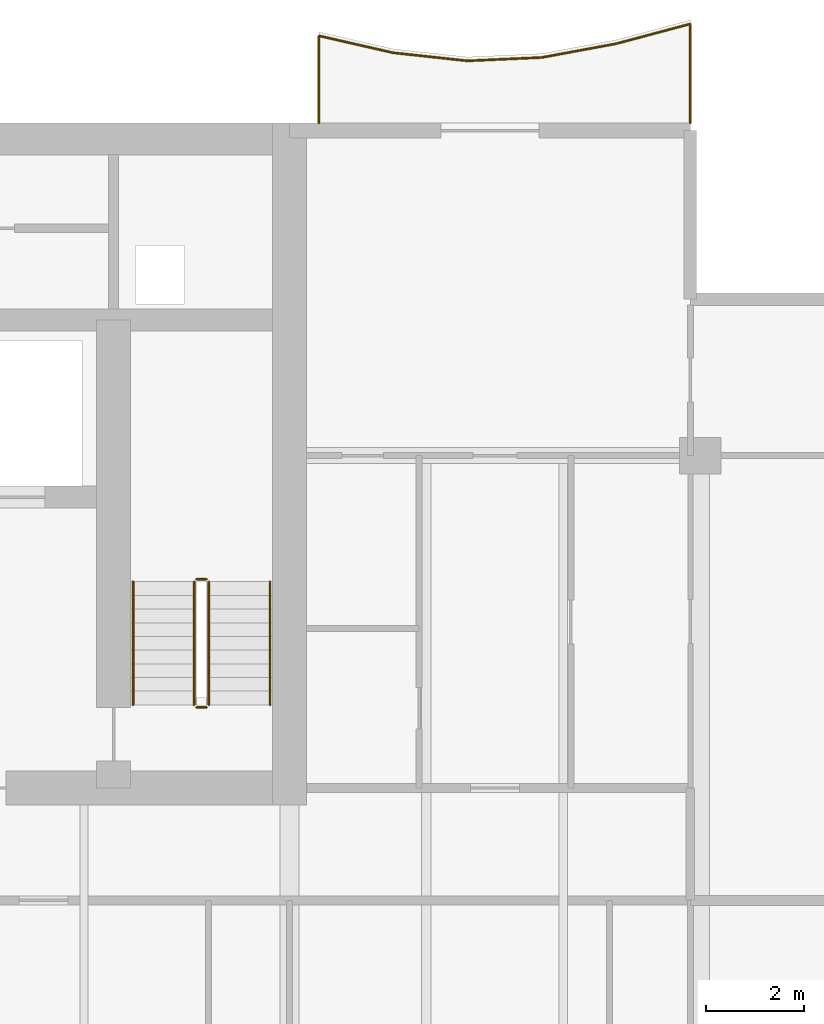
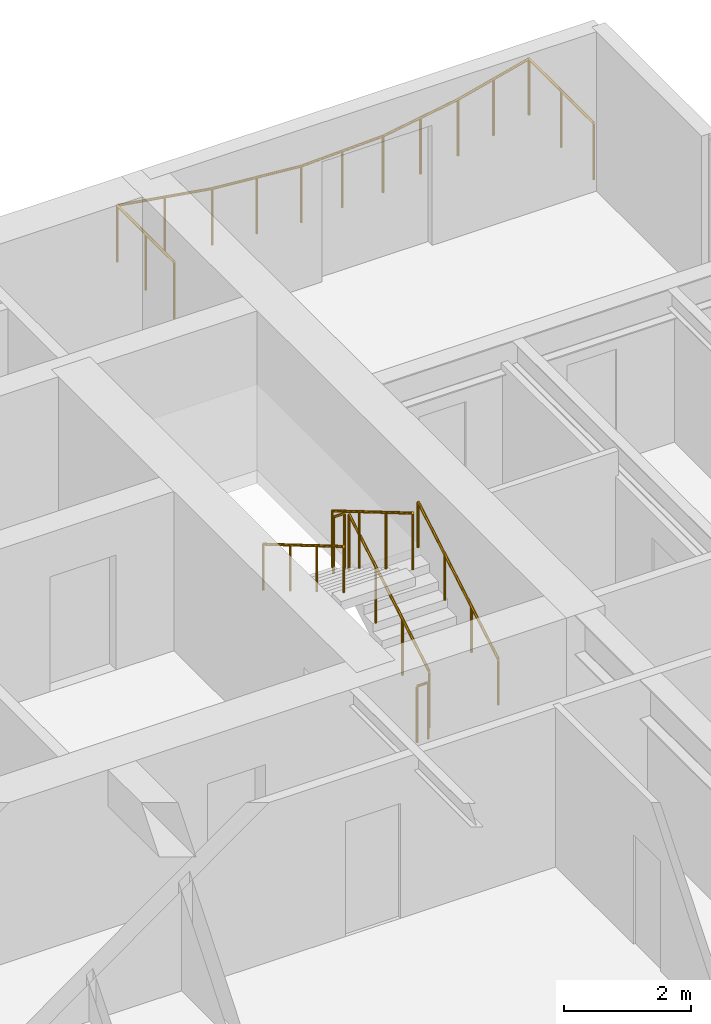
# One storey, part 16 of 17: 7 railings.
"""IFC4 building model written with IfcOpenShell, lengths in metres."""

from ifc_helpers import new_model, si_unit, direction, frame, origin, origin_2d, place, context, subcontext, project, spatial, circle, extrude, material, type_object, element, save


model = new_model("IFC4")

# Units and contexts
model_context = context("Model", 3, precision=1e-05, world=origin(), true_north=direction((0.0, 1.0)))
body_context = subcontext(model_context, "Body", "Model", "MODEL_VIEW")
ifc_project = project(units=[si_unit("LENGTHUNIT", "METRE"), si_unit("AREAUNIT", "SQUARE_METRE"), si_unit("VOLUMEUNIT", "CUBIC_METRE"), si_unit("PLANEANGLEUNIT", "RADIAN"), si_unit("MASSUNIT", "GRAM", prefix="KILO")], contexts=[model_context])

# Site, building, storey
site_placement = place(None, origin())
site = spatial("IfcSite", under=ifc_project, at=site_placement, CompositionType="ELEMENT")
building_placement = place(site_placement, origin())
building = spatial("IfcBuilding", under=site, at=building_placement, Name="Caelmar Bay Residences", CompositionType="ELEMENT")
storey_placement = place(building_placement, frame((0.0, 0.0, 201.60009765625)))
storey = spatial("IfcBuildingStorey", under=building, at=storey_placement, Name="L56", CompositionType="ELEMENT", Elevation=201.60009765625)

# Railings
ifc_material_1 = material(Name="Anodised bronze handrail with laminated hurricane glass infill", Category="glass")
railing_type_1 = type_object("IfcRailingType", Name="RL-BAL-1100", PredefinedType="BALUSTRADE", material=ifc_material_1)
railing_1_placement = place(storey_placement, frame((67.699951171875, 50.60009765625, 0.0)))
element("IfcRailing", 1, at=railing_1_placement, inside=storey, type_object=railing_type_1, Name="L56 north_east Balcony Balustrade", PredefinedType="BALUSTRADE", context=body_context, shape_type="SweptSolid", body=[
    extrude(circle(Radius=0.02392578125, at=origin_2d()), frame((0.0, 0.0, 1.076171875), z_axis=(0.0, 1.0, 0.0), x_axis=(-1.0, 0.0, 0.0)), (0.0, 0.0, 1.0), 2.031005859375),
    extrude(circle(Radius=0.02392578125, at=origin_2d()), frame((0.0, 2.031005859375, 1.076171875), z_axis=(-0.966206600501, -0.25776889872, 0.0), x_axis=(0.25776889872, -0.966206600501, 0.0)), (0.0, 0.0, 1.0), 1.5732421875),
    extrude(circle(Radius=0.02392578125, at=origin_2d()), frame((-1.52001953125, 1.62548828125, 1.076171875), z_axis=(-0.983309224326, -0.181942214331, 0.0), x_axis=(0.181942214331, -0.983309224326, 0.0)), (0.0, 0.0, 1.0), 1.5458984375),
    extrude(circle(Radius=0.02392578125, at=origin_2d()), frame((-3.0400390625, 1.34423828125, 1.076171875), z_axis=(-0.998975805625, -0.045247538899, 0.0), x_axis=(0.045247538899, -0.998975805625, 0.0)), (0.0, 0.0, 1.0), 1.521484375),
    extrude(circle(Radius=0.02392578125, at=origin_2d()), frame((-4.56005859375, 1.275390625, 1.076171875), z_axis=(-0.994138121061, 0.108117511319, 0.0), x_axis=(-0.108117511319, -0.994138121061, 0.0)), (0.0, 0.0, 1.0), 1.52880859375),
    extrude(circle(Radius=0.02392578125, at=origin_2d()), frame((-6.079833984375, 1.440673828125, 1.076171875), z_axis=(-0.974861421848, 0.222812046786, 0.0), x_axis=(-0.222812046786, -0.974861421848, 0.0)), (0.0, 0.0, 1.0), 1.559326171875),
    extrude(circle(Radius=0.02392578125, at=origin_2d()), frame((-7.599853515625, 1.7880859375, 1.076171875), z_axis=(0.0, -1.0, 0.0), x_axis=(1.0, 0.0, 0.0)), (0.0, 0.0, 1.0), 1.7880859375),
    extrude(circle(Radius=0.02099609375, at=origin_2d()), origin(), (0.0, 0.0, 1.0), 1.052001953125),
    extrude(circle(Radius=0.02099609375, at=origin_2d()), frame((0.0, 1.015625, 0.0)), (0.0, 0.0, 1.0), 1.052001953125),
    extrude(circle(Radius=0.02099609375, at=origin_2d()), frame((0.0, 2.031005859375, 0.0)), (0.0, 0.0, 1.0), 1.052001953125),
    extrude(circle(Radius=0.02099609375, at=origin_2d()), frame((-0.760009765625, 1.828125, 0.0)), (0.0, 0.0, 1.0), 1.052001953125),
    extrude(circle(Radius=0.02099609375, at=origin_2d()), frame((-1.52001953125, 1.62548828125, 0.0)), (0.0, 0.0, 1.0), 1.052001953125),
    extrude(circle(Radius=0.02099609375, at=origin_2d()), frame((-2.280029296875, 1.48486328125, 0.0)), (0.0, 0.0, 1.0), 1.052001953125),
    extrude(circle(Radius=0.02099609375, at=origin_2d()), frame((-3.0400390625, 1.34423828125, 0.0)), (0.0, 0.0, 1.0), 1.052001953125),
    extrude(circle(Radius=0.02099609375, at=origin_2d()), frame((-3.800048828125, 1.309814453125, 0.0)), (0.0, 0.0, 1.0), 1.052001953125),
    extrude(circle(Radius=0.02099609375, at=origin_2d()), frame((-4.56005859375, 1.275390625, 0.0)), (0.0, 0.0, 1.0), 1.052001953125),
    extrude(circle(Radius=0.02099609375, at=origin_2d()), frame((-5.31982421875, 1.35791015625, 0.0)), (0.0, 0.0, 1.0), 1.052001953125),
    extrude(circle(Radius=0.02099609375, at=origin_2d()), frame((-6.079833984375, 1.440673828125, 0.0)), (0.0, 0.0, 1.0), 1.052001953125),
    extrude(circle(Radius=0.02099609375, at=origin_2d()), frame((-6.83984375, 1.6142578125, 0.0)), (0.0, 0.0, 1.0), 1.052001953125),
    extrude(circle(Radius=0.02099609375, at=origin_2d()), frame((-7.599853515625, 1.7880859375, 0.0)), (0.0, 0.0, 1.0), 1.052001953125),
    extrude(circle(Radius=0.02099609375, at=origin_2d()), frame((-7.599853515625, 0.89404296875, 0.0)), (0.0, 0.0, 1.0), 1.052001953125),
    extrude(circle(Radius=0.02099609375, at=origin_2d()), frame((-7.599853515625, 0.0, 0.0)), (0.0, 0.0, 1.0), 1.052001953125),
])
ifc_material_2 = material(Name="Painted galvanized steel stair guard 1100 mm", Category="steel")
railing_type_2 = type_object("IfcRailingType", Name="RL-GRD-1100", PredefinedType="GUARDRAIL", material=ifc_material_2)
railing_2_placement = place(storey_placement, frame((57.85009765625, 38.699951171875, 0.164794921875)))
element("IfcRailing", 2, at=railing_2_placement, inside=storey, type_object=railing_type_2, Name="L56 ST2 stair guard 1", PredefinedType="GUARDRAIL", context=body_context, shape_type="SweptSolid", body=[
    extrude(circle(Radius=0.02392578125, at=origin_2d()), frame((0.0, 0.0, 1.076171875), z_axis=(0.0, 0.86152411907, 0.507716645641), x_axis=(-1.0, 0.0, 0.0)), (0.0, 0.0, 1.0), 2.925048828125),
    extrude(circle(Radius=0.02099609375, at=origin_2d()), origin(), (0.0, 0.0, 1.0), 1.052001953125),
    extrude(circle(Radius=0.02099609375, at=origin_2d()), frame((0.0, 0.840087890625, 0.4951171875)), (0.0, 0.0, 1.0), 1.052001953125),
    extrude(circle(Radius=0.02099609375, at=origin_2d()), frame((0.0, 1.679931640625, 0.989990234375)), (0.0, 0.0, 1.0), 1.052001953125),
    extrude(circle(Radius=0.02099609375, at=origin_2d()), frame((0.0, 2.52001953125, 1.485107421875)), (0.0, 0.0, 1.0), 1.052001953125),
])
railing_3_placement = place(storey_placement, frame((57.800048828125, 41.27001953125, 1.64990234375)))
element("IfcRailing", 3, at=railing_3_placement, inside=storey, type_object=railing_type_2, Name="L56 ST2 stair guard 2", PredefinedType="GUARDRAIL", context=body_context, shape_type="SweptSolid", body=[
    extrude(circle(Radius=0.02392578125, at=origin_2d()), frame((0.0, 0.0, 1.076171875), z_axis=(-1.0, 0.0, 0.0), x_axis=(0.0, -1.0, 0.0)), (0.0, 0.0, 1.0), 0.199951171875),
    extrude(circle(Radius=0.02099609375, at=origin_2d()), origin(), (0.0, 0.0, 1.0), 1.052001953125),
    extrude(circle(Radius=0.02099609375, at=origin_2d()), frame((-0.199951171875, 0.0, 0.0)), (0.0, 0.0, 1.0), 1.052001953125),
])
railing_4_placement = place(storey_placement, frame((57.550048828125, 41.219970703125, 1.81494140625)))
element("IfcRailing", 4, at=railing_4_placement, inside=storey, type_object=railing_type_2, Name="L56 ST2 stair guard 3", PredefinedType="GUARDRAIL", context=body_context, shape_type="SweptSolid", body=[
    extrude(circle(Radius=0.02392578125, at=origin_2d()), frame((0.0, 0.0, 1.076171875), z_axis=(0.0, -0.861560626758, 0.507654692109), x_axis=(1.0, 0.0, 0.0)), (0.0, 0.0, 1.0), 2.925048828125),
    extrude(circle(Radius=0.02099609375, at=origin_2d()), origin(), (0.0, 0.0, 1.0), 1.052001953125),
    extrude(circle(Radius=0.02099609375, at=origin_2d()), frame((0.0, -0.840087890625, 0.494873046875)), (0.0, 0.0, 1.0), 1.052001953125),
    extrude(circle(Radius=0.02099609375, at=origin_2d()), frame((0.0, -1.679931640625, 0.989990234375)), (0.0, 0.0, 1.0), 1.052001953125),
    extrude(circle(Radius=0.02099609375, at=origin_2d()), frame((0.0, -2.52001953125, 1.48486328125)), (0.0, 0.0, 1.0), 1.052001953125),
])
railing_5_placement = place(storey_placement, frame((57.800048828125, 38.64990234375, 0.0)))
element("IfcRailing", 5, at=railing_5_placement, inside=storey, type_object=railing_type_2, Name="L56 ST2 stair guard 4", PredefinedType="GUARDRAIL", context=body_context, shape_type="SweptSolid", body=[
    extrude(circle(Radius=0.02392578125, at=origin_2d()), frame((0.0, 0.0, 1.076171875), z_axis=(-1.0, 0.0, 0.0), x_axis=(0.0, -1.0, 0.0)), (0.0, 0.0, 1.0), 0.199951171875),
    extrude(circle(Radius=0.02099609375, at=origin_2d()), origin(), (0.0, 0.0, 1.0), 1.052001953125),
    extrude(circle(Radius=0.02099609375, at=origin_2d()), frame((-0.199951171875, 0.0, 0.0)), (0.0, 0.0, 1.0), 1.052001953125),
])
ifc_material_3 = material(Name="Brushed bronze stainless-steel tubular handrail 900 mm", Category="steel")
railing_type_3 = type_object("IfcRailingType", Name="RL-HND-900", PredefinedType="HANDRAIL", material=ifc_material_3)
railing_6_placement = place(storey_placement, frame((59.10009765625, 38.699951171875, 0.164794921875)))
element("IfcRailing", 6, at=railing_6_placement, inside=storey, type_object=railing_type_3, Name="L56 ST2 stair handrail 1", PredefinedType="HANDRAIL", context=body_context, shape_type="SweptSolid", body=[
    extrude(circle(Radius=0.02392578125, at=origin_2d()), frame((0.0, 0.0, 0.8759765625), z_axis=(0.0, 0.86152411907, 0.507716645641), x_axis=(-1.0, 0.0, 0.0)), (0.0, 0.0, 1.0), 2.925048828125),
    extrude(circle(Radius=0.02099609375, at=origin_2d()), origin(), (0.0, 0.0, 1.0), 0.851806640625),
    extrude(circle(Radius=0.02099609375, at=origin_2d()), frame((0.0, 0.840087890625, 0.4951171875)), (0.0, 0.0, 1.0), 0.851806640625),
    extrude(circle(Radius=0.02099609375, at=origin_2d()), frame((0.0, 1.679931640625, 0.989990234375)), (0.0, 0.0, 1.0), 0.851806640625),
    extrude(circle(Radius=0.02099609375, at=origin_2d()), frame((0.0, 2.52001953125, 1.485107421875)), (0.0, 0.0, 1.0), 0.851806640625),
])
railing_7_placement = place(storey_placement, frame((56.300048828125, 41.219970703125, 1.81494140625)))
element("IfcRailing", 7, at=railing_7_placement, inside=storey, type_object=railing_type_3, Name="L56 ST2 stair handrail 2", PredefinedType="HANDRAIL", context=body_context, shape_type="SweptSolid", body=[
    extrude(circle(Radius=0.02392578125, at=origin_2d()), frame((0.0, 0.0, 0.8759765625), z_axis=(0.0, -0.861560626758, 0.507654692109), x_axis=(1.0, 0.0, 0.0)), (0.0, 0.0, 1.0), 2.925048828125),
    extrude(circle(Radius=0.02099609375, at=origin_2d()), origin(), (0.0, 0.0, 1.0), 0.851806640625),
    extrude(circle(Radius=0.02099609375, at=origin_2d()), frame((0.0, -0.840087890625, 0.494873046875)), (0.0, 0.0, 1.0), 0.851806640625),
    extrude(circle(Radius=0.02099609375, at=origin_2d()), frame((0.0, -1.679931640625, 0.989990234375)), (0.0, 0.0, 1.0), 0.851806640625),
    extrude(circle(Radius=0.02099609375, at=origin_2d()), frame((0.0, -2.52001953125, 1.48486328125)), (0.0, 0.0, 1.0), 0.851806640625),
])

save(model, "model.ifc")
